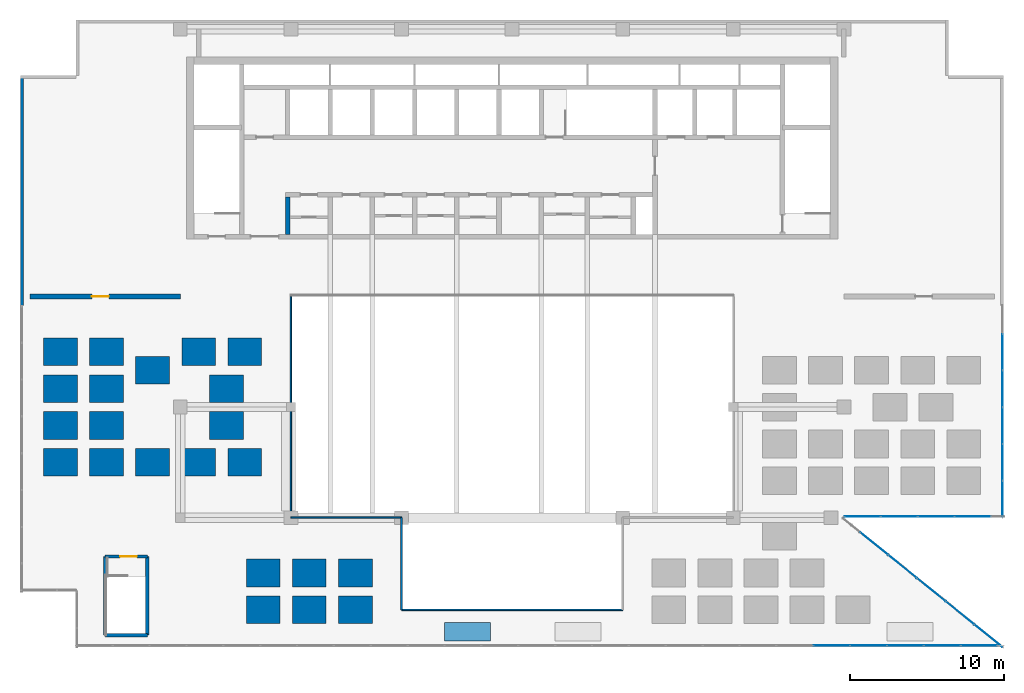
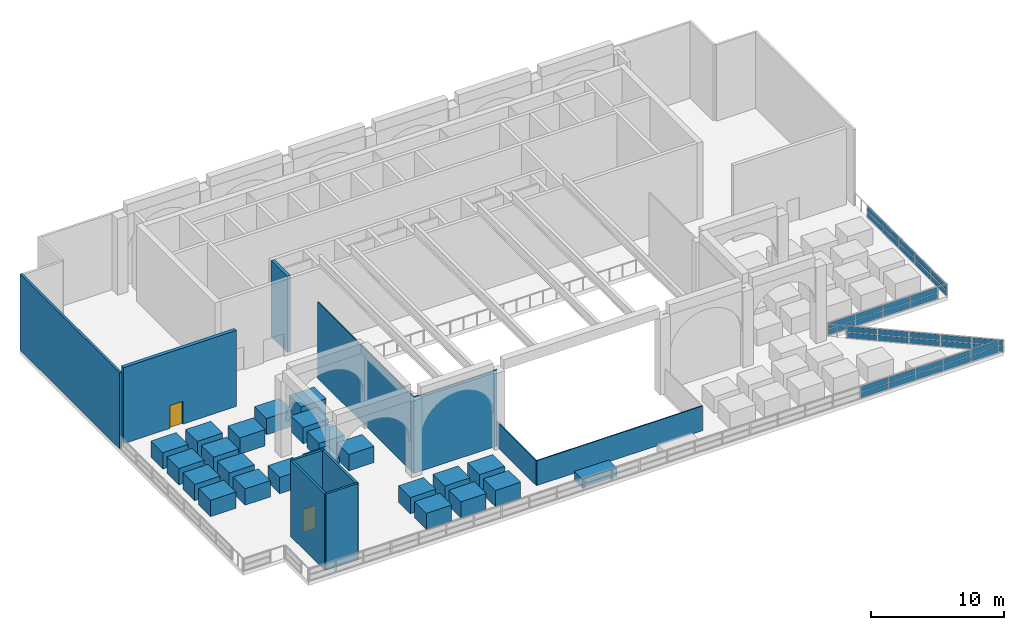
# One storey, part 12 of 17: 38 plates, 34 walls, 2 doors, 2 openings, 4 elements without a shape of their own.
"""IFC4 building model written with IfcOpenShell, lengths in metres."""

import ifcopenshell
import ifcopenshell.guid

model = None  # the IFC model being written
_history = None  # IfcOwnerHistory: only IFC2X3 demands one
_inside = {}  # id of a spatial element -> (the spatial element, [elements in it])
_under = {}  # id of a project, library or spatial element -> (it, [spatial elements below it])
_declared = {}  # id of a project -> (the project, [libraries it declares])
_typed = {}  # id of a type object -> (the type object, [elements of that type])
_made_of = {}  # id of a material, layer set ... -> (it, [elements and type objects made of it])


def new_model(schema):
    """Start an empty IFC model of exactly this schema.

    Asked for "IFC4X3", IfcOpenShell would pick the latest addendum, in which some entities
    have other attributes; the version numbers below select the first issue.
    IFC2X3 requires an IfcOwnerHistory on every rooted entity: one is made here for all.
    """
    global model, _history
    if schema == "IFC4X3":
        model = ifcopenshell.file(schema_version=(4, 3, 0, 0))
    else:
        model = ifcopenshell.file(schema=schema)
    _inside.clear()
    _under.clear()
    _declared.clear()
    _typed.clear()
    _made_of.clear()
    _history = None
    if model.schema == "IFC2X3":
        org = make("IfcOrganization", Name="unknown")
        user = make(
            "IfcPersonAndOrganization",
            ThePerson=make("IfcPerson", FamilyName="unknown"),
            TheOrganization=org,
        )
        app = make(
            "IfcApplication",
            ApplicationDeveloper=org,
            Version="unknown",
            ApplicationFullName="unknown",
            ApplicationIdentifier="unknown",
        )
        _history = make(
            "IfcOwnerHistory",
            OwningUser=user,
            OwningApplication=app,
            ChangeAction="ADDED",
            CreationDate=0,
        )
    return model


def make(cls, **values):
    """One entity of the class cls with the attributes given. An attribute that is None is left unset."""
    return model.create_entity(
        cls, **{name: value for name, value in values.items() if value is not None}
    )


def rooted(cls, **values):
    """An entity with a GlobalId (a new one), such as an element, a storey or a relation."""
    return make(cls, GlobalId=ifcopenshell.guid.new(), OwnerHistory=_history, **values)


def si_unit(unit_type, name, prefix=None):
    """IfcSIUnit, for example si_unit("LENGTHUNIT", "METRE", prefix="MILLI")."""
    return make("IfcSIUnit", UnitType=unit_type, Prefix=prefix, Name=name)


def assignment(units):
    """IfcUnitAssignment: the units of a project."""
    return None if units is None else make("IfcUnitAssignment", Units=units)


def point(xyz):
    """IfcCartesianPoint."""
    return None if xyz is None else make("IfcCartesianPoint", Coordinates=xyz)


def direction(xyz):
    """IfcDirection."""
    return None if xyz is None else make("IfcDirection", DirectionRatios=xyz)


def frame(location, z_axis=None, x_axis=None):
    """IfcAxis2Placement3D, a coordinate frame: its origin and axes. An axis left out is left unset."""
    return make(
        "IfcAxis2Placement3D",
        Location=point(location),
        Axis=direction(z_axis),
        RefDirection=direction(x_axis),
    )


def frame_2d(location, x_axis=None):
    """IfcAxis2Placement2D, a coordinate frame in the plane: its origin and x axis."""
    return make(
        "IfcAxis2Placement2D", Location=point(location), RefDirection=direction(x_axis)
    )


def origin():
    """The frame at (0, 0, 0) with its axes left unset."""
    return frame((0.0, 0.0, 0.0))


def origin_2d():
    """The frame at (0, 0) in the plane with its x axis left unset."""
    return frame_2d((0.0, 0.0))


def place(relative_to, where):
    """IfcLocalPlacement: puts the frame where relative to a parent placement (None: the world)."""
    return make(
        "IfcLocalPlacement", PlacementRelTo=relative_to, RelativePlacement=where
    )


def context(
    kind, dimensions, precision=None, world=None, true_north=None, identifier=None
):
    """IfcGeometricRepresentationContext, for example the 3D "Model" context."""
    return make(
        "IfcGeometricRepresentationContext",
        ContextIdentifier=identifier,
        ContextType=kind,
        CoordinateSpaceDimension=dimensions,
        Precision=precision,
        WorldCoordinateSystem=world,
        TrueNorth=true_north,
    )


def subcontext(parent, identifier, kind, view, scale=None):
    """IfcGeometricRepresentationSubContext, for example "Body" below "Model"."""
    return make(
        "IfcGeometricRepresentationSubContext",
        ContextIdentifier=identifier,
        ContextType=kind,
        ParentContext=parent,
        TargetScale=scale,
        TargetView=view,
    )


def project(units=None, contexts=None):
    """IfcProject with its units and contexts."""
    return rooted(
        "IfcProject",
        Name="project",
        RepresentationContexts=contexts,
        UnitsInContext=assignment(units),
    )


def spatial(cls, under=None, at=None, **own):
    """A site, building, storey or space (cls), placed at a placement, below another one or the project."""
    s = rooted(cls, ObjectPlacement=at, **own)
    if under is not None:
        _under.setdefault(under.id(), (under, []))[1].append(s)
    return s


def profile(cls, at=None, kind="AREA", **sizes):
    """A parametric profile (cls). Its sizes go by their IFC names, for example OverallWidth=200.0."""
    return make(cls, ProfileType=kind, Position=at, **sizes)


def rectangle(**sizes):
    """IfcRectangleProfileDef."""
    return profile("IfcRectangleProfileDef", **sizes)


def extrude(swept, where, along, depth):
    """IfcExtrudedAreaSolid: the profile swept, set in the frame where, extruded along a direction by depth."""
    return make(
        "IfcExtrudedAreaSolid",
        SweptArea=swept,
        Position=where,
        ExtrudedDirection=direction(along),
        Depth=depth,
    )


def shape(context_of_items, identifier, shape_type, items):
    """IfcShapeRepresentation: the items that make up one representation, for example the "Body"."""
    return make(
        "IfcShapeRepresentation",
        ContextOfItems=context_of_items,
        RepresentationIdentifier=identifier,
        RepresentationType=shape_type,
        Items=items,
    )


def source(mapping_origin, context_of_items, identifier, shape_type, items):
    """IfcRepresentationMap: a shape defined once, which mapped items show again and again."""
    return make(
        "IfcRepresentationMap",
        MappingOrigin=mapping_origin,
        MappedRepresentation=shape(context_of_items, identifier, shape_type, items),
    )


def transform(
    local_origin,
    x_axis=None,
    y_axis=None,
    z_axis=None,
    scale=None,
    scale2=None,
    scale3=None,
    uniform=True,
):
    """IfcCartesianTransformationOperator3D, or its non-uniform kind. x_axis, y_axis, z_axis: its Axis1, 2, 3."""
    if uniform:
        return make(
            "IfcCartesianTransformationOperator3D",
            Axis1=direction(x_axis),
            Axis2=direction(y_axis),
            LocalOrigin=point(local_origin),
            Scale=scale,
            Axis3=direction(z_axis),
        )
    return make(
        "IfcCartesianTransformationOperator3DnonUniform",
        Axis1=direction(x_axis),
        Axis2=direction(y_axis),
        LocalOrigin=point(local_origin),
        Scale=scale,
        Axis3=direction(z_axis),
        Scale2=scale2,
        Scale3=scale3,
    )


def mapped(mapping_source, mapping_target):
    """IfcMappedItem: shows the shape of a source again, moved by a transform."""
    return make(
        "IfcMappedItem", MappingSource=mapping_source, MappingTarget=mapping_target
    )


def material(Name=None, Category=None):
    """IfcMaterial."""
    return make("IfcMaterial", Name=Name, Category=Category)


def layer(
    of_material, thickness, ventilated=None, Name=None, Category=None, Priority=None
):
    """IfcMaterialLayer: one layer of a wall or slab, of a material (None: an air gap)."""
    return make(
        "IfcMaterialLayer",
        Material=of_material,
        LayerThickness=thickness,
        IsVentilated=ventilated,
        Name=Name,
        Category=Category,
        Priority=Priority,
    )


def layer_set(layers, Name=None):
    """IfcMaterialLayerSet."""
    return make("IfcMaterialLayerSet", MaterialLayers=layers, LayerSetName=Name)


def made_of(thing, what):
    """Note that an element or type object is made of a material, layer set ...; save() writes the relation."""
    if what is not None:
        _made_of.setdefault(what.id(), (what, []))[1].append(thing)
    return thing


def type_object(cls, material=None, **own):
    """A type object (cls), such as IfcWallType, which elements share."""
    return made_of(rooted(cls, **own), material)


def element(
    cls,
    number,
    at=None,
    inside=None,
    cuts=None,
    type_object=None,
    material=None,
    context=None,
    identifier="Body",
    shape_type=None,
    held_by="IfcProductDefinitionShape",
    body=None,
    shapes=None,
    **own,
):
    """One element of the class cls, such as IfcWall. Its Tag is "e" and its number.

    at: its placement. inside: the storey or other place that contains it. cuts: it is an
    opening in that element (IfcRelVoidsElement). A single representation is given by context,
    identifier, shape_type and body (its items); several are given by shapes. held_by: the class
    of the entity that holds the representations. save() writes the other relations.
    """
    e = rooted(cls, Tag="e%d" % number, ObjectPlacement=at, **own)
    if body is not None:
        shapes = [shape(context, identifier, shape_type, body)]
    if shapes is not None:
        e.Representation = make(held_by, Representations=shapes)
    if inside is not None:
        _inside.setdefault(inside.id(), (inside, []))[1].append(e)
    if cuts is not None:
        rooted(
            "IfcRelVoidsElement", RelatingBuildingElement=cuts, RelatedOpeningElement=e
        )
    if type_object is not None:
        _typed.setdefault(type_object.id(), (type_object, []))[1].append(e)
    return made_of(e, material)


def fill(opening, filler):
    """IfcRelFillsElement: the door or window that sits in an opening."""
    return rooted(
        "IfcRelFillsElement",
        RelatingOpeningElement=opening,
        RelatedBuildingElement=filler,
    )


def aggregate(whole, parts):
    """IfcRelAggregates: a whole, such as a stair, and the parts it consists of."""
    return rooted("IfcRelAggregates", RelatingObject=whole, RelatedObjects=parts)


def save(model, path):
    """Write the relations noted so far, then the file.

    IfcRelAggregates (storeys below a building ...), IfcRelContainedInSpatialStructure (elements
    in a storey), IfcRelDefinesByType, IfcRelAssociatesMaterial and IfcRelDeclares: one each for
    every whole, place, type object, material and project.
    """
    for whole, parts in _under.values():
        aggregate(whole, parts)
    for where, things in _inside.values():
        rooted(
            "IfcRelContainedInSpatialStructure",
            RelatedElements=things,
            RelatingStructure=where,
        )
    for kind, things in _typed.values():
        rooted("IfcRelDefinesByType", RelatedObjects=things, RelatingType=kind)
    for what, things in _made_of.values():
        rooted("IfcRelAssociatesMaterial", RelatedObjects=things, RelatingMaterial=what)
    for by, libraries in _declared.values():
        rooted("IfcRelDeclares", RelatingContext=by, RelatedDefinitions=libraries)
    model.write(path)


model = new_model("IFC4")

# Units and contexts
model_context = context("Model", 3, precision=1e-05, world=origin(), true_north=direction((0.0, 1.0)))
body_context = subcontext(model_context, "Body", "Model", "MODEL_VIEW")
ifc_project = project(units=[si_unit("LENGTHUNIT", "METRE"), si_unit("AREAUNIT", "SQUARE_METRE"), si_unit("VOLUMEUNIT", "CUBIC_METRE"), si_unit("PLANEANGLEUNIT", "RADIAN"), si_unit("MASSUNIT", "GRAM", prefix="KILO")], contexts=[model_context])

# Site, building, storey
site_placement = place(None, origin())
site = spatial("IfcSite", under=ifc_project, at=site_placement, CompositionType="ELEMENT")
building_placement = place(site_placement, origin())
building = spatial("IfcBuilding", under=site, at=building_placement, Name="Saffron Iwan Residences", CompositionType="ELEMENT")
storey_placement = place(building_placement, frame((0.0, 0.0, 274.5)))
storey = spatial("IfcBuildingStorey", under=building, at=storey_placement, Name="L74", CompositionType="ELEMENT", Elevation=274.5)

# Curtain wall, plates
ifc_material_1 = material(Name="Clear glass, laminated double glazed", Category="glass")
ifc_layer_1 = layer(ifc_material_1, 0.10009765625)
ifc_layer_set_1 = layer_set([ifc_layer_1], Name="Clear glass, laminated double glazed")
curtain_wall_type = type_object("IfcCurtainWallType", Name="CW-F ROOF TERRACE GLAZED GUARD", PredefinedType="NOTDEFINED", material=ifc_layer_set_1)
curtain_wall_1_placement = place(storey_placement, origin())
curtain_wall_1 = element("IfcCurtainWall", 1, at=curtain_wall_1_placement, inside=storey, type_object=curtain_wall_type, Name="Glazed terrace guard F0.0", PredefinedType="NOTDEFINED")
ifc_layer_2 = layer(ifc_material_1, 0.02392578125)
ifc_layer_set_2 = layer_set([ifc_layer_2], Name="Clear glass, laminated double glazed")
plate_type = type_object("IfcPlateType", Name="CW-F PANEL 24", PredefinedType="CURTAIN_PANEL", material=ifc_layer_set_2)
shared_shape_1 = source(origin(), body_context, "Body", "SweptSolid", [
    extrude(rectangle(XDim=2.324951171875, YDim=0.02392578125, at=origin_2d()), origin(), (0.0, 0.0, 1.0), 0.5),
])
plate_1_placement = place(storey_placement, frame((81.40966796875, 40.303466796875, 0.050048828125), z_axis=(0.0, 0.0, 1.0), x_axis=(-0.777941180147, 0.628337107158, 0.0)))
plate_1 = element("IfcPlate", 2, at=plate_1_placement, type_object=plate_type, Name="CW-F panel 1.1", PredefinedType="CURTAIN_PANEL", context=body_context, shape_type="MappedRepresentation", body=[
    mapped(shared_shape_1, transform((0.0, 0.0, 0.0))),
])
plate_2_placement = place(storey_placement, frame((81.40966796875, 40.303466796875, 0.60009765625), z_axis=(0.0, 0.0, 1.0), x_axis=(-0.777941180147, 0.628337107158, 0.0)))
plate_2 = element("IfcPlate", 3, at=plate_2_placement, type_object=plate_type, Name="CW-F panel 1.2", PredefinedType="CURTAIN_PANEL", context=body_context, shape_type="MappedRepresentation", body=[
    mapped(shared_shape_1, transform((0.0, 0.0, 0.0))),
])
plate_3_placement = place(storey_placement, frame((73.9609375, 46.31982421875, 0.050048828125), z_axis=(0.0, 0.0, 1.0), x_axis=(-0.777941180147, 0.628337107158, 0.0)))
plate_3 = element("IfcPlate", 4, at=plate_3_placement, type_object=plate_type, Name="CW-F panel 5.1", PredefinedType="CURTAIN_PANEL", context=body_context, shape_type="MappedRepresentation", body=[
    mapped(shared_shape_1, transform((0.0, 0.0, 0.0))),
])
plate_4_placement = place(storey_placement, frame((73.9609375, 46.31982421875, 0.60009765625), z_axis=(0.0, 0.0, 1.0), x_axis=(-0.777941180147, 0.628337107158, 0.0)))
plate_4 = element("IfcPlate", 5, at=plate_4_placement, type_object=plate_type, Name="CW-F panel 5.2", PredefinedType="CURTAIN_PANEL", context=body_context, shape_type="MappedRepresentation", body=[
    mapped(shared_shape_1, transform((0.0, 0.0, 0.0))),
])

curtain_wall_2_placement = place(storey_placement, origin())
curtain_wall_2 = element("IfcCurtainWall", 6, at=curtain_wall_2_placement, inside=storey, type_object=curtain_wall_type, Name="Glazed terrace guard F1.2", PredefinedType="NOTDEFINED")
plate_5_placement = place(storey_placement, frame((73.21240234375, 48.074951171875, 0.050048828125), z_axis=(0.0, 0.0, 1.0), x_axis=(1.0, 0.0, 0.0)))
plate_5 = element("IfcPlate", 7, at=plate_5_placement, type_object=plate_type, Name="CW-F panel 1.1", PredefinedType="CURTAIN_PANEL", context=body_context, shape_type="MappedRepresentation", body=[
    mapped(shared_shape_1, transform((0.0, 0.0, 0.0))),
])
plate_6_placement = place(storey_placement, frame((73.21240234375, 48.074951171875, 0.60009765625), z_axis=(0.0, 0.0, 1.0), x_axis=(1.0, 0.0, 0.0)))
plate_6 = element("IfcPlate", 8, at=plate_6_placement, type_object=plate_type, Name="CW-F panel 1.2", PredefinedType="CURTAIN_PANEL", context=body_context, shape_type="MappedRepresentation", body=[
    mapped(shared_shape_1, transform((0.0, 0.0, 0.0))),
])
plate_7_placement = place(storey_placement, frame((80.387451171875, 48.074951171875, 0.050048828125), z_axis=(0.0, 0.0, 1.0), x_axis=(1.0, 0.0, 0.0)))
plate_7 = element("IfcPlate", 9, at=plate_7_placement, type_object=plate_type, Name="CW-F panel 4.1", PredefinedType="CURTAIN_PANEL", context=body_context, shape_type="MappedRepresentation", body=[
    mapped(shared_shape_1, transform((0.0, 0.0, 0.0))),
])
plate_8_placement = place(storey_placement, frame((80.387451171875, 48.074951171875, 0.60009765625), z_axis=(0.0, 0.0, 1.0), x_axis=(1.0, 0.0, 0.0)))
plate_8 = element("IfcPlate", 10, at=plate_8_placement, type_object=plate_type, Name="CW-F panel 4.2", PredefinedType="CURTAIN_PANEL", context=body_context, shape_type="MappedRepresentation", body=[
    mapped(shared_shape_1, transform((0.0, 0.0, 0.0))),
])

curtain_wall_3_placement = place(storey_placement, origin())
curtain_wall_3 = element("IfcCurtainWall", 11, at=curtain_wall_3_placement, inside=storey, type_object=curtain_wall_type, Name="Glazed terrace guard F2.4", PredefinedType="NOTDEFINED")
plate_9_placement = place(storey_placement, frame((82.324951171875, 49.21240234375, 0.050048828125), z_axis=(0.0, 0.0, 1.0), x_axis=(0.0, 1.0, 0.0)))
plate_9 = element("IfcPlate", 12, at=plate_9_placement, type_object=plate_type, Name="CW-F panel 1.1", PredefinedType="CURTAIN_PANEL", context=body_context, shape_type="MappedRepresentation", body=[
    mapped(shared_shape_1, transform((0.0, 0.0, 0.0))),
])
plate_10_placement = place(storey_placement, frame((82.324951171875, 49.21240234375, 0.60009765625), z_axis=(0.0, 0.0, 1.0), x_axis=(0.0, 1.0, 0.0)))
plate_10 = element("IfcPlate", 13, at=plate_10_placement, type_object=plate_type, Name="CW-F panel 1.2", PredefinedType="CURTAIN_PANEL", context=body_context, shape_type="MappedRepresentation", body=[
    mapped(shared_shape_1, transform((0.0, 0.0, 0.0))),
])
plate_11_placement = place(storey_placement, frame((82.324951171875, 58.78759765625, 0.050048828125), z_axis=(0.0, 0.0, 1.0), x_axis=(0.0, 1.0, 0.0)))
plate_11 = element("IfcPlate", 14, at=plate_11_placement, type_object=plate_type, Name="CW-F panel 5.1", PredefinedType="CURTAIN_PANEL", context=body_context, shape_type="MappedRepresentation", body=[
    mapped(shared_shape_1, transform((0.0, 0.0, 0.0))),
])
plate_12_placement = place(storey_placement, frame((82.324951171875, 58.78759765625, 0.60009765625), z_axis=(0.0, 0.0, 1.0), x_axis=(0.0, 1.0, 0.0)))
plate_12 = element("IfcPlate", 15, at=plate_12_placement, type_object=plate_type, Name="CW-F panel 5.2", PredefinedType="CURTAIN_PANEL", context=body_context, shape_type="MappedRepresentation", body=[
    mapped(shared_shape_1, transform((0.0, 0.0, 0.0))),
])

curtain_wall_4_placement = place(storey_placement, origin())
curtain_wall_4 = element("IfcCurtainWall", 16, at=curtain_wall_4_placement, inside=storey, type_object=curtain_wall_type, Name="Glazed terrace guard F11.12", PredefinedType="NOTDEFINED")
plate_13_placement = place(storey_placement, frame((80.78759765625, 39.675048828125, 0.050048828125), z_axis=(0.0, 0.0, 1.0), x_axis=(1.0, 0.0, 0.0)))
plate_13 = element("IfcPlate", 17, at=plate_13_placement, type_object=plate_type, Name="CW-F panel 25.1", PredefinedType="CURTAIN_PANEL", context=body_context, shape_type="MappedRepresentation", body=[
    mapped(shared_shape_1, transform((0.0, 0.0, 0.0))),
])
plate_14_placement = place(storey_placement, frame((80.78759765625, 39.675048828125, 0.60009765625), z_axis=(0.0, 0.0, 1.0), x_axis=(1.0, 0.0, 0.0)))
plate_14 = element("IfcPlate", 18, at=plate_14_placement, type_object=plate_type, Name="CW-F panel 25.2", PredefinedType="CURTAIN_PANEL", context=body_context, shape_type="MappedRepresentation", body=[
    mapped(shared_shape_1, transform((0.0, 0.0, 0.0))),
])

# Plate
shared_shape_2 = source(origin(), body_context, "Body", "SweptSolid", [
    extrude(rectangle(XDim=2.35009765625, YDim=0.02392578125, at=origin_2d()), origin(), (0.0, 0.0, 1.0), 0.5),
])
plate_15_placement = place(storey_placement, frame((79.55224609375, 41.8037109375, 0.050048828125), z_axis=(0.0, 0.0, 1.0), x_axis=(-0.777941180147, 0.628337107158, 0.0)))
plate_15 = element("IfcPlate", 19, at=plate_15_placement, type_object=plate_type, Name="CW-F panel 2.1", PredefinedType="CURTAIN_PANEL", context=body_context, shape_type="MappedRepresentation", body=[
    mapped(shared_shape_2, transform((0.0, 0.0, 0.0))),
])

plate_16_placement = place(storey_placement, frame((79.55224609375, 41.8037109375, 0.60009765625), z_axis=(0.0, 0.0, 1.0), x_axis=(-0.777941180147, 0.628337107158, 0.0)))
plate_16 = element("IfcPlate", 20, at=plate_16_placement, type_object=plate_type, Name="CW-F panel 2.2", PredefinedType="CURTAIN_PANEL", context=body_context, shape_type="MappedRepresentation", body=[
    mapped(shared_shape_2, transform((0.0, 0.0, 0.0))),
])

plate_17_placement = place(storey_placement, frame((77.685302734375, 43.311767578125, 0.050048828125), z_axis=(0.0, 0.0, 1.0), x_axis=(-0.777941180147, 0.628337107158, 0.0)))
plate_17 = element("IfcPlate", 21, at=plate_17_placement, type_object=plate_type, Name="CW-F panel 3.1", PredefinedType="CURTAIN_PANEL", context=body_context, shape_type="MappedRepresentation", body=[
    mapped(shared_shape_2, transform((0.0, 0.0, 0.0))),
])

plate_18_placement = place(storey_placement, frame((77.685302734375, 43.311767578125, 0.60009765625), z_axis=(0.0, 0.0, 1.0), x_axis=(-0.777941180147, 0.628337107158, 0.0)))
plate_18 = element("IfcPlate", 22, at=plate_18_placement, type_object=plate_type, Name="CW-F panel 3.2", PredefinedType="CURTAIN_PANEL", context=body_context, shape_type="MappedRepresentation", body=[
    mapped(shared_shape_2, transform((0.0, 0.0, 0.0))),
])

plate_19_placement = place(storey_placement, frame((75.818115234375, 44.819580078125, 0.050048828125), z_axis=(0.0, 0.0, 1.0), x_axis=(-0.777941180147, 0.628337107158, 0.0)))
plate_19 = element("IfcPlate", 23, at=plate_19_placement, type_object=plate_type, Name="CW-F panel 4.1", PredefinedType="CURTAIN_PANEL", context=body_context, shape_type="MappedRepresentation", body=[
    mapped(shared_shape_2, transform((0.0, 0.0, 0.0))),
])

plate_20_placement = place(storey_placement, frame((75.818115234375, 44.819580078125, 0.60009765625), z_axis=(0.0, 0.0, 1.0), x_axis=(-0.777941180147, 0.628337107158, 0.0)))
plate_20 = element("IfcPlate", 24, at=plate_20_placement, type_object=plate_type, Name="CW-F panel 4.2", PredefinedType="CURTAIN_PANEL", context=body_context, shape_type="MappedRepresentation", body=[
    mapped(shared_shape_2, transform((0.0, 0.0, 0.0))),
])

aggregate(curtain_wall_1, [plate_1, plate_2, plate_15, plate_16, plate_17, plate_18, plate_19, plate_20, plate_3, plate_4])

plate_21_placement = place(storey_placement, frame((75.60009765625, 48.074951171875, 0.050048828125), z_axis=(0.0, 0.0, 1.0), x_axis=(1.0, 0.0, 0.0)))
plate_21 = element("IfcPlate", 25, at=plate_21_placement, type_object=plate_type, Name="CW-F panel 2.1", PredefinedType="CURTAIN_PANEL", context=body_context, shape_type="MappedRepresentation", body=[
    mapped(shared_shape_2, transform((0.0, 0.0, 0.0))),
])

plate_22_placement = place(storey_placement, frame((75.60009765625, 48.074951171875, 0.60009765625), z_axis=(0.0, 0.0, 1.0), x_axis=(1.0, 0.0, 0.0)))
plate_22 = element("IfcPlate", 26, at=plate_22_placement, type_object=plate_type, Name="CW-F panel 2.2", PredefinedType="CURTAIN_PANEL", context=body_context, shape_type="MappedRepresentation", body=[
    mapped(shared_shape_2, transform((0.0, 0.0, 0.0))),
])

plate_23_placement = place(storey_placement, frame((78.0, 48.074951171875, 0.050048828125), z_axis=(0.0, 0.0, 1.0), x_axis=(1.0, 0.0, 0.0)))
plate_23 = element("IfcPlate", 27, at=plate_23_placement, type_object=plate_type, Name="CW-F panel 3.1", PredefinedType="CURTAIN_PANEL", context=body_context, shape_type="MappedRepresentation", body=[
    mapped(shared_shape_2, transform((0.0, 0.0, 0.0))),
])

plate_24_placement = place(storey_placement, frame((78.0, 48.074951171875, 0.60009765625), z_axis=(0.0, 0.0, 1.0), x_axis=(1.0, 0.0, 0.0)))
plate_24 = element("IfcPlate", 28, at=plate_24_placement, type_object=plate_type, Name="CW-F panel 3.2", PredefinedType="CURTAIN_PANEL", context=body_context, shape_type="MappedRepresentation", body=[
    mapped(shared_shape_2, transform((0.0, 0.0, 0.0))),
])

aggregate(curtain_wall_2, [plate_5, plate_6, plate_21, plate_22, plate_23, plate_24, plate_7, plate_8])

plate_25_placement = place(storey_placement, frame((82.324951171875, 51.60009765625, 0.050048828125), z_axis=(0.0, 0.0, 1.0), x_axis=(0.0, 1.0, 0.0)))
plate_25 = element("IfcPlate", 29, at=plate_25_placement, type_object=plate_type, Name="CW-F panel 2.1", PredefinedType="CURTAIN_PANEL", context=body_context, shape_type="MappedRepresentation", body=[
    mapped(shared_shape_2, transform((0.0, 0.0, 0.0))),
])

plate_26_placement = place(storey_placement, frame((82.324951171875, 51.60009765625, 0.60009765625), z_axis=(0.0, 0.0, 1.0), x_axis=(0.0, 1.0, 0.0)))
plate_26 = element("IfcPlate", 30, at=plate_26_placement, type_object=plate_type, Name="CW-F panel 2.2", PredefinedType="CURTAIN_PANEL", context=body_context, shape_type="MappedRepresentation", body=[
    mapped(shared_shape_2, transform((0.0, 0.0, 0.0))),
])

plate_27_placement = place(storey_placement, frame((82.324951171875, 54.0, 0.050048828125), z_axis=(0.0, 0.0, 1.0), x_axis=(0.0, 1.0, 0.0)))
plate_27 = element("IfcPlate", 31, at=plate_27_placement, type_object=plate_type, Name="CW-F panel 3.1", PredefinedType="CURTAIN_PANEL", context=body_context, shape_type="MappedRepresentation", body=[
    mapped(shared_shape_2, transform((0.0, 0.0, 0.0))),
])

plate_28_placement = place(storey_placement, frame((82.324951171875, 54.0, 0.60009765625), z_axis=(0.0, 0.0, 1.0), x_axis=(0.0, 1.0, 0.0)))
plate_28 = element("IfcPlate", 32, at=plate_28_placement, type_object=plate_type, Name="CW-F panel 3.2", PredefinedType="CURTAIN_PANEL", context=body_context, shape_type="MappedRepresentation", body=[
    mapped(shared_shape_2, transform((0.0, 0.0, 0.0))),
])

plate_29_placement = place(storey_placement, frame((82.324951171875, 56.39990234375, 0.050048828125), z_axis=(0.0, 0.0, 1.0), x_axis=(0.0, 1.0, 0.0)))
plate_29 = element("IfcPlate", 33, at=plate_29_placement, type_object=plate_type, Name="CW-F panel 4.1", PredefinedType="CURTAIN_PANEL", context=body_context, shape_type="MappedRepresentation", body=[
    mapped(shared_shape_2, transform((0.0, 0.0, 0.0))),
])

plate_30_placement = place(storey_placement, frame((82.324951171875, 56.39990234375, 0.60009765625), z_axis=(0.0, 0.0, 1.0), x_axis=(0.0, 1.0, 0.0)))
plate_30 = element("IfcPlate", 34, at=plate_30_placement, type_object=plate_type, Name="CW-F panel 4.2", PredefinedType="CURTAIN_PANEL", context=body_context, shape_type="MappedRepresentation", body=[
    mapped(shared_shape_2, transform((0.0, 0.0, 0.0))),
])

aggregate(curtain_wall_3, [plate_9, plate_10, plate_25, plate_26, plate_27, plate_28, plate_29, plate_30, plate_11, plate_12])

plate_31_placement = place(storey_placement, frame((71.199951171875, 39.675048828125, 0.050048828125), z_axis=(0.0, 0.0, 1.0), x_axis=(1.0, 0.0, 0.0)))
plate_31 = element("IfcPlate", 35, at=plate_31_placement, type_object=plate_type, Name="CW-F panel 21.1", PredefinedType="CURTAIN_PANEL", context=body_context, shape_type="MappedRepresentation", body=[
    mapped(shared_shape_2, transform((0.0, 0.0, 0.0))),
])

plate_32_placement = place(storey_placement, frame((71.199951171875, 39.675048828125, 0.60009765625), z_axis=(0.0, 0.0, 1.0), x_axis=(1.0, 0.0, 0.0)))
plate_32 = element("IfcPlate", 36, at=plate_32_placement, type_object=plate_type, Name="CW-F panel 21.2", PredefinedType="CURTAIN_PANEL", context=body_context, shape_type="MappedRepresentation", body=[
    mapped(shared_shape_2, transform((0.0, 0.0, 0.0))),
])

plate_33_placement = place(storey_placement, frame((73.60009765625, 39.675048828125, 0.050048828125), z_axis=(0.0, 0.0, 1.0), x_axis=(1.0, 0.0, 0.0)))
plate_33 = element("IfcPlate", 37, at=plate_33_placement, type_object=plate_type, Name="CW-F panel 22.1", PredefinedType="CURTAIN_PANEL", context=body_context, shape_type="MappedRepresentation", body=[
    mapped(shared_shape_2, transform((0.0, 0.0, 0.0))),
])

plate_34_placement = place(storey_placement, frame((73.60009765625, 39.675048828125, 0.60009765625), z_axis=(0.0, 0.0, 1.0), x_axis=(1.0, 0.0, 0.0)))
plate_34 = element("IfcPlate", 38, at=plate_34_placement, type_object=plate_type, Name="CW-F panel 22.2", PredefinedType="CURTAIN_PANEL", context=body_context, shape_type="MappedRepresentation", body=[
    mapped(shared_shape_2, transform((0.0, 0.0, 0.0))),
])

plate_35_placement = place(storey_placement, frame((76.0, 39.675048828125, 0.050048828125), z_axis=(0.0, 0.0, 1.0), x_axis=(1.0, 0.0, 0.0)))
plate_35 = element("IfcPlate", 39, at=plate_35_placement, type_object=plate_type, Name="CW-F panel 23.1", PredefinedType="CURTAIN_PANEL", context=body_context, shape_type="MappedRepresentation", body=[
    mapped(shared_shape_2, transform((0.0, 0.0, 0.0))),
])

plate_36_placement = place(storey_placement, frame((76.0, 39.675048828125, 0.60009765625), z_axis=(0.0, 0.0, 1.0), x_axis=(1.0, 0.0, 0.0)))
plate_36 = element("IfcPlate", 40, at=plate_36_placement, type_object=plate_type, Name="CW-F panel 23.2", PredefinedType="CURTAIN_PANEL", context=body_context, shape_type="MappedRepresentation", body=[
    mapped(shared_shape_2, transform((0.0, 0.0, 0.0))),
])

plate_37_placement = place(storey_placement, frame((78.39990234375, 39.675048828125, 0.050048828125), z_axis=(0.0, 0.0, 1.0), x_axis=(1.0, 0.0, 0.0)))
plate_37 = element("IfcPlate", 41, at=plate_37_placement, type_object=plate_type, Name="CW-F panel 24.1", PredefinedType="CURTAIN_PANEL", context=body_context, shape_type="MappedRepresentation", body=[
    mapped(shared_shape_2, transform((0.0, 0.0, 0.0))),
])

plate_38_placement = place(storey_placement, frame((78.39990234375, 39.675048828125, 0.60009765625), z_axis=(0.0, 0.0, 1.0), x_axis=(1.0, 0.0, 0.0)))
plate_38 = element("IfcPlate", 42, at=plate_38_placement, type_object=plate_type, Name="CW-F panel 24.2", PredefinedType="CURTAIN_PANEL", context=body_context, shape_type="MappedRepresentation", body=[
    mapped(shared_shape_2, transform((0.0, 0.0, 0.0))),
])

aggregate(curtain_wall_4, [plate_31, plate_32, plate_33, plate_34, plate_35, plate_36, plate_37, plate_38, plate_13, plate_14])

# Walls
ifc_material_2 = material(Name="Concrete C40/50", Category="concrete")
ifc_layer_3 = layer(ifc_material_2, 0.199951171875)
ifc_layer_set_3 = layer_set([ifc_layer_3], Name="Concrete C40/50")
wall_type_1 = type_object("IfcWallType", Name="CROWN PLANT WALL 250", PredefinedType="SOLIDWALL", material=ifc_layer_set_3)
wall_1_placement = place(storey_placement, frame((18.5, 76.800048828125, 0.0), z_axis=(0.0, 0.0, 1.0), x_axis=(0.0, -1.0, 0.0)))
element("IfcWall", 43, at=wall_1_placement, inside=storey, type_object=wall_type_1, Name="Plant enclosure wall F8.1", PredefinedType="SOLIDWALL", context=body_context, shape_type="SweptSolid", body=[
    extrude(rectangle(XDim=15.0, YDim=0.199951171875, at=frame_2d((7.5, 0.0))), origin(), (0.0, 0.0, 1.0), 7.0),
])
ifc_material_3 = material(Name="Concrete C35/45", Category="concrete")
ifc_layer_4 = layer(ifc_material_3, 0.14990234375)
ifc_layer_set_4 = layer_set([ifc_layer_4], Name="Concrete C35/45")
wall_type_2 = type_object("IfcWallType", Name="GARDEN PLANTER", PredefinedType="SOLIDWALL", material=ifc_layer_set_4)
wall_2_placement = place(storey_placement, frame((46.0, 40.574951171875, 0.0), z_axis=(0.0, 0.0, 1.0), x_axis=(1.0, 0.0, 0.0)))
element("IfcWall", 44, at=wall_2_placement, inside=storey, type_object=wall_type_2, Name="PLANTER roof garden 11.0", PredefinedType="SOLIDWALL", context=body_context, shape_type="SweptSolid", body=[
    extrude(rectangle(XDim=3.0, YDim=1.199951171875, at=frame_2d((1.5, 0.0))), origin(), (0.0, 0.0, 1.0), 0.800048828125),
])
ifc_material_4 = material(Name="Glass", Category="glass")
ifc_layer_5 = layer(ifc_material_4, 0.10009765625)
ifc_layer_set_5 = layer_set([ifc_layer_5], Name="Glass")
wall_type_3 = type_object("IfcWallType", Name="Glazed screen wall 100", PredefinedType="PARTITIONING", material=ifc_layer_set_5)
wall_3_placement = place(storey_placement, frame((43.199951171875, 42.0, 0.0), z_axis=(0.0, 0.0, 1.0), x_axis=(1.0, 0.0, 0.0)))
element("IfcWall", 45, at=wall_3_placement, inside=storey, type_object=wall_type_3, Name="W-L74-002", PredefinedType="PARTITIONING", context=body_context, shape_type="SweptSolid", body=[
    extrude(rectangle(XDim=14.400146484375, YDim=0.10009765625, at=frame_2d((7.2001953125, 0.0))), origin(), (0.0, 0.0, 1.0), 2.280029296875),
])
wall_4_placement = place(storey_placement, frame((36.0, 48.0, 0.0), z_axis=(0.0, 0.0, 1.0), x_axis=(1.0, 0.0, 0.0)))
element("IfcWall", 46, at=wall_4_placement, inside=storey, type_object=wall_type_3, Name="W-L74-004", PredefinedType="PARTITIONING", context=body_context, shape_type="SweptSolid", body=[
    extrude(rectangle(XDim=7.199951171875, YDim=0.10009765625, at=frame_2d((3.60009765625, 0.0))), origin(), (0.0, 0.0, 1.0), 7.0),
])
wall_5_placement = place(storey_placement, frame((36.0, 48.0, 0.0), z_axis=(0.0, 0.0, 1.0), x_axis=(0.0, 1.0, 0.0)))
element("IfcWall", 47, at=wall_5_placement, inside=storey, type_object=wall_type_3, Name="W-L74-011", PredefinedType="PARTITIONING", context=body_context, shape_type="SweptSolid", body=[
    extrude(rectangle(XDim=14.39990234375, YDim=0.10009765625, at=frame_2d((7.199951171875, 0.0))), origin(), (0.0, 0.0, 1.0), 7.0),
])
wall_6_placement = place(storey_placement, frame((43.199951171875, 42.0, 0.0), z_axis=(0.0, 0.0, 1.0), x_axis=(0.0, 1.0, 0.0)))
element("IfcWall", 48, at=wall_6_placement, inside=storey, type_object=wall_type_3, Name="W-L74-012", PredefinedType="PARTITIONING", context=body_context, shape_type="SweptSolid", body=[
    extrude(rectangle(XDim=6.0, YDim=0.10009765625, at=frame_2d((3.0, 0.0))), origin(), (0.0, 0.0, 1.0), 2.280029296875),
])

# Wall, opening, door
ifc_material_5 = material(Name="Precast concrete C40/50", Category="concrete")
ifc_layer_6 = layer(ifc_material_5, 0.300048828125)
ifc_layer_set_6 = layer_set([ifc_layer_6], Name="Precast concrete C40/50")
wall_type_4 = type_object("IfcWallType", Name="Podium external wall 300", PredefinedType="SOLIDWALL", material=ifc_layer_set_6)
wall_7_placement = place(storey_placement, frame((19.0, 62.39990234375, 0.0), z_axis=(0.0, 0.0, 1.0), x_axis=(1.0, 0.0, 0.0)))
wall_7 = element("IfcWall", 49, at=wall_7_placement, inside=storey, type_object=wall_type_4, Name="W-L74-006", PredefinedType="SOLIDWALL", context=body_context, shape_type="SweptSolid", body=[
    extrude(rectangle(XDim=9.800048828125, YDim=0.300048828125, at=frame_2d((4.89990234375, 0.0))), origin(), (0.0, 0.0, 1.0), 7.0),
])
opening_1_placement = place(wall_7_placement, frame((4.050048828125, 0.0, 0.0)))
opening_1 = element("IfcOpeningElement", 50, at=opening_1_placement, cuts=wall_7, Name="Opening L74.01", PredefinedType="OPENING", context=body_context, shape_type="SweptSolid", body=[
    extrude(rectangle(XDim=1.10009765625, YDim=2.10009765625, at=frame_2d((0.550048828125, 1.050048828125))), frame((0.0, 0.16015625, 0.0), z_axis=(0.0, -1.0, 0.0), x_axis=(1.0, 0.0, 0.0)), (0.0, 0.0, 1.0), 0.320068359375),
])
ifc_material_6 = material(Name="Timber", Category="wood")
door_type_1 = type_object("IfcDoorType", Name="Door 1100x2100", OperationType="NOTDEFINED", PredefinedType="DOOR", material=ifc_material_6)
door_1_placement = place(opening_1_placement, origin())
door_1 = element("IfcDoor", 51, at=door_1_placement, inside=storey, type_object=door_type_1, Name="D-L74-001", OperationType="SINGLE_SWING_LEFT", OverallHeight=2.10009765625, OverallWidth=1.10009765625, PredefinedType="DOOR", context=body_context, shape_type="SweptSolid", body=[
    extrude(rectangle(XDim=1.10009765625, YDim=2.10009765625, at=frame_2d((0.550048828125, 1.050048828125))), frame((0.0, 0.02490234375, 0.0), z_axis=(0.0, -1.0, 0.0), x_axis=(1.0, 0.0, 0.0)), (0.0, 0.0, 1.0), 0.050048828125),
])
fill(opening_1, door_1)

# Wall
ifc_layer_7 = layer(ifc_material_2, 0.199951171875)
ifc_layer_set_7 = layer_set([ifc_layer_7], Name="Concrete C40/50")
wall_type_5 = type_object("IfcWallType", Name="Reinforced concrete stair wall 200", PredefinedType="SOLIDWALL", material=ifc_layer_set_7)
wall_8_placement = place(storey_placement, frame((23.89990234375, 40.35009765625, 0.0), z_axis=(0.0, 0.0, 1.0), x_axis=(1.0, 0.0, 0.0)))
element("IfcWall", 52, at=wall_8_placement, inside=storey, type_object=wall_type_5, Name="W-L74-001", PredefinedType="SOLIDWALL", context=body_context, shape_type="SweptSolid", body=[
    extrude(rectangle(XDim=2.75, YDim=0.199951171875, at=frame_2d((1.375, 0.0))), origin(), (0.0, 0.0, 1.0), 7.0),
])

# Wall, opening, door
wall_9_placement = place(storey_placement, frame((23.89990234375, 45.469970703125, 0.0), z_axis=(0.0, 0.0, 1.0), x_axis=(1.0, 0.0, 0.0)))
wall_9 = element("IfcWall", 53, at=wall_9_placement, inside=storey, type_object=wall_type_5, Name="W-L74-003", PredefinedType="SOLIDWALL", context=body_context, shape_type="SweptSolid", body=[
    extrude(rectangle(XDim=2.75, YDim=0.199951171875, at=frame_2d((1.375, 0.0))), origin(), (0.0, 0.0, 1.0), 7.0),
])
opening_2_placement = place(wall_9_placement, frame((0.97509765625, 0.0, 0.0)))
opening_2 = element("IfcOpeningElement", 54, at=opening_2_placement, cuts=wall_9, Name="Opening L74.03", PredefinedType="OPENING", context=body_context, shape_type="SweptSolid", body=[
    extrude(rectangle(XDim=1.10009765625, YDim=2.10009765625, at=frame_2d((0.550048828125, 1.050048828125))), frame((0.0, 0.10986328125, 0.0), z_axis=(0.0, -1.0, 0.0), x_axis=(1.0, 0.0, 0.0)), (0.0, 0.0, 1.0), 0.219970703125),
])
ifc_material_7 = material(Name="Steel", Category="steel")
door_type_2 = type_object("IfcDoorType", Name="Fire door 1100x2100", OperationType="NOTDEFINED", PredefinedType="DOOR", material=ifc_material_7)
door_2_placement = place(opening_2_placement, origin())
door_2 = element("IfcDoor", 55, at=door_2_placement, inside=storey, type_object=door_type_2, Name="D-L74-003", OperationType="SINGLE_SWING_RIGHT", OverallHeight=2.10009765625, OverallWidth=1.10009765625, PredefinedType="DOOR", context=body_context, shape_type="SweptSolid", body=[
    extrude(rectangle(XDim=1.10009765625, YDim=2.10009765625, at=frame_2d((0.550048828125, 1.050048828125))), frame((0.0, 0.02490234375, 0.0), z_axis=(0.0, -1.0, 0.0), x_axis=(1.0, 0.0, 0.0)), (0.0, 0.0, 1.0), 0.050048828125),
])
fill(opening_2, door_2)

# Walls
for number, where, z_axis, x_axis, name in (
    (56, (23.89990234375, 40.35009765625, 0.0), (0.0, 0.0, 1.0), (0.0, 1.0, 0.0), "W-L74-008"),
    (57, (26.64990234375, 40.35009765625, 0.0), (0.0, 0.0, 1.0), (0.0, 1.0, 0.0), "W-L74-009"),
):
    element("IfcWall", number, at=place(storey_placement, frame(where, z_axis=z_axis, x_axis=x_axis)), inside=storey, type_object=wall_type_5, Name=name, PredefinedType="SOLIDWALL", context=body_context, shape_type="SweptSolid", body=[
        extrude(rectangle(XDim=5.119873046875, YDim=0.199951171875, at=frame_2d((2.56005859375, 0.0))), origin(), (0.0, 0.0, 1.0), 7.0),
    ])
ifc_layer_8 = layer(ifc_material_2, 1.800048828125)
ifc_layer_set_8 = layer_set([ifc_layer_8], Name="Concrete C40/50")
wall_type_6 = type_object("IfcWallType", Name="SKY GARDEN PLANTER 1800", PredefinedType="STANDARD", material=ifc_layer_set_8)
for number, where, z_axis, x_axis, name in (
    (58, (33.10009765625, 42.0, 0.0), (0.0, 0.0, 1.0), (1.0, 0.0, 0.0), "PLANTER sky garden 1"),
    (59, (36.10009765625, 42.0, 0.0), (0.0, 0.0, 1.0), (1.0, 0.0, 0.0), "PLANTER sky garden 2"),
    (60, (39.10009765625, 42.0, 0.0), (0.0, 0.0, 1.0), (1.0, 0.0, 0.0), "PLANTER sky garden 3"),
    (61, (33.10009765625, 44.39990234375, 0.0), (0.0, 0.0, 1.0), (1.0, 0.0, 0.0), "PLANTER sky garden 9"),
    (62, (36.10009765625, 44.39990234375, 0.0), (0.0, 0.0, 1.0), (1.0, 0.0, 0.0), "PLANTER sky garden 10"),
    (63, (39.10009765625, 44.39990234375, 0.0), (0.0, 0.0, 1.0), (1.0, 0.0, 0.0), "PLANTER sky garden 11"),
):
    element("IfcWall", number, at=place(storey_placement, frame(where, z_axis=z_axis, x_axis=x_axis)), inside=storey, type_object=wall_type_6, Name=name, PredefinedType="STANDARD", context=body_context, shape_type="SweptSolid", body=[
        extrude(rectangle(XDim=2.199951171875, YDim=1.800048828125, at=frame_2d((1.10009765625, 0.0))), origin(), (0.0, 0.0, 1.0), 1.5),
    ])
for number, where, z_axis, x_axis, name in (
    (64, (19.89990234375, 51.60009765625, 0.0), (0.0, 0.0, 1.0), (1.0, 0.0, 0.0), "PLANTER sky garden 22"),
    (65, (22.89990234375, 51.60009765625, 0.0), (0.0, 0.0, 1.0), (1.0, 0.0, 0.0), "PLANTER sky garden 23"),
    (66, (25.89990234375, 51.60009765625, 0.0), (0.0, 0.0, 1.0), (1.0, 0.0, 0.0), "PLANTER sky garden 24"),
    (67, (28.89990234375, 51.60009765625, 0.0), (0.0, 0.0, 1.0), (1.0, 0.0, 0.0), "PLANTER sky garden 25"),
    (68, (31.89990234375, 51.60009765625, 0.0), (0.0, 0.0, 1.0), (1.0, 0.0, 0.0), "PLANTER sky garden 26"),
    (69, (19.89990234375, 54.0, 0.0), (0.0, 0.0, 1.0), (1.0, 0.0, 0.0), "PLANTER sky garden 32"),
    (70, (22.89990234375, 54.0, 0.0), (0.0, 0.0, 1.0), (1.0, 0.0, 0.0), "PLANTER sky garden 33"),
):
    element("IfcWall", number, at=place(storey_placement, frame(where, z_axis=z_axis, x_axis=x_axis)), inside=storey, type_object=wall_type_6, Name=name, PredefinedType="STANDARD", context=body_context, shape_type="SweptSolid", body=[
        extrude(rectangle(XDim=2.2001953125, YDim=1.800048828125, at=frame_2d((1.10009765625, 0.0))), origin(), (0.0, 0.0, 1.0), 1.5),
    ])
wall_10_placement = place(storey_placement, frame((30.699951171875, 54.0, 0.0), z_axis=(0.0, 0.0, 1.0), x_axis=(1.0, 0.0, 0.0)))
element("IfcWall", 71, at=wall_10_placement, inside=storey, type_object=wall_type_6, Name="PLANTER sky garden 34", PredefinedType="STANDARD", context=body_context, shape_type="SweptSolid", body=[
    extrude(rectangle(XDim=2.199951171875, YDim=1.800048828125, at=frame_2d((1.10009765625, 0.0))), origin(), (0.0, 0.0, 1.0), 1.5),
])
for number, where, z_axis, x_axis, name in (
    (72, (19.89990234375, 56.39990234375, 0.0), (0.0, 0.0, 1.0), (1.0, 0.0, 0.0), "PLANTER sky garden 38"),
    (73, (22.89990234375, 56.39990234375, 0.0), (0.0, 0.0, 1.0), (1.0, 0.0, 0.0), "PLANTER sky garden 39"),
):
    element("IfcWall", number, at=place(storey_placement, frame(where, z_axis=z_axis, x_axis=x_axis)), inside=storey, type_object=wall_type_6, Name=name, PredefinedType="STANDARD", context=body_context, shape_type="SweptSolid", body=[
        extrude(rectangle(XDim=2.2001953125, YDim=1.800048828125, at=frame_2d((1.10009765625, 0.0))), origin(), (0.0, 0.0, 1.0), 1.5),
    ])
wall_11_placement = place(storey_placement, frame((30.699951171875, 56.39990234375, 0.0), z_axis=(0.0, 0.0, 1.0), x_axis=(1.0, 0.0, 0.0)))
element("IfcWall", 74, at=wall_11_placement, inside=storey, type_object=wall_type_6, Name="PLANTER sky garden 40", PredefinedType="STANDARD", context=body_context, shape_type="SweptSolid", body=[
    extrude(rectangle(XDim=2.199951171875, YDim=1.800048828125, at=frame_2d((1.10009765625, 0.0))), origin(), (0.0, 0.0, 1.0), 1.5),
])
for number, where, z_axis, x_axis, name in (
    (75, (25.89990234375, 57.60009765625, 0.0), (0.0, 0.0, 1.0), (1.0, 0.0, 0.0), "PLANTER sky garden 41"),
    (76, (19.89990234375, 58.800048828125, 0.0), (0.0, 0.0, 1.0), (1.0, 0.0, 0.0), "PLANTER sky garden 47"),
    (77, (22.89990234375, 58.800048828125, 0.0), (0.0, 0.0, 1.0), (1.0, 0.0, 0.0), "PLANTER sky garden 48"),
    (78, (28.89990234375, 58.800048828125, 0.0), (0.0, 0.0, 1.0), (1.0, 0.0, 0.0), "PLANTER sky garden 49"),
    (79, (31.89990234375, 58.800048828125, 0.0), (0.0, 0.0, 1.0), (1.0, 0.0, 0.0), "PLANTER sky garden 50"),
):
    element("IfcWall", number, at=place(storey_placement, frame(where, z_axis=z_axis, x_axis=x_axis)), inside=storey, type_object=wall_type_6, Name=name, PredefinedType="STANDARD", context=body_context, shape_type="SweptSolid", body=[
        extrude(rectangle(XDim=2.2001953125, YDim=1.800048828125, at=frame_2d((1.10009765625, 0.0))), origin(), (0.0, 0.0, 1.0), 1.5),
    ])
ifc_layer_9 = layer(ifc_material_2, 0.300048828125)
ifc_layer_set_9 = layer_set([ifc_layer_9], Name="Concrete C40/50")
wall_type_7 = type_object("IfcWallType", Name="WALL CORE 300 C40/50 7000 HIGH", PredefinedType="SHEAR", material=ifc_layer_set_9)
wall_12_placement = place(storey_placement, frame((35.800048828125, 66.449951171875, 0.0), z_axis=(0.0, 0.0, 1.0), x_axis=(0.0, 1.0, 0.0)))
element("IfcWall", 80, at=wall_12_placement, inside=storey, type_object=wall_type_7, Name="Core wall", PredefinedType="SHEAR", context=body_context, shape_type="SweptSolid", body=[
    extrude(rectangle(XDim=2.425048828125, YDim=0.300048828125, at=frame_2d((1.21240234375, 0.0))), origin(), (0.0, 0.0, 1.0), 7.0),
])

save(model, "model.ifc")
